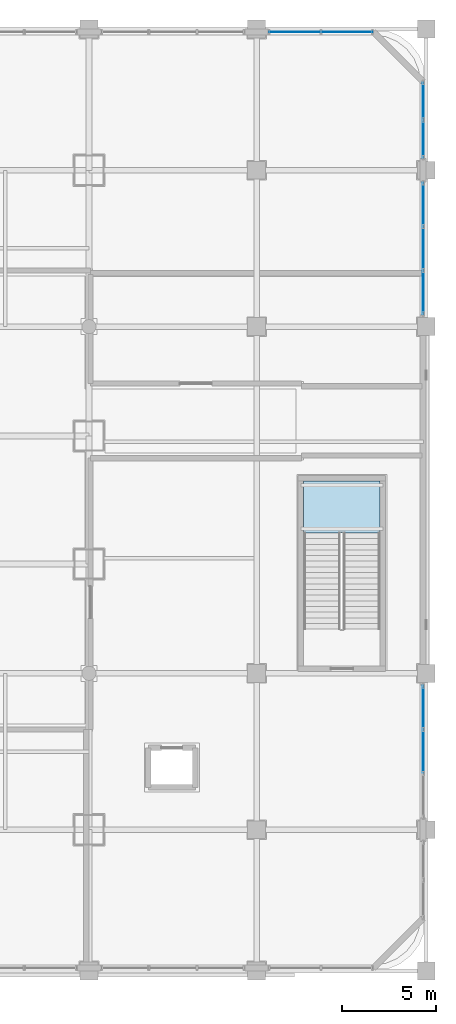
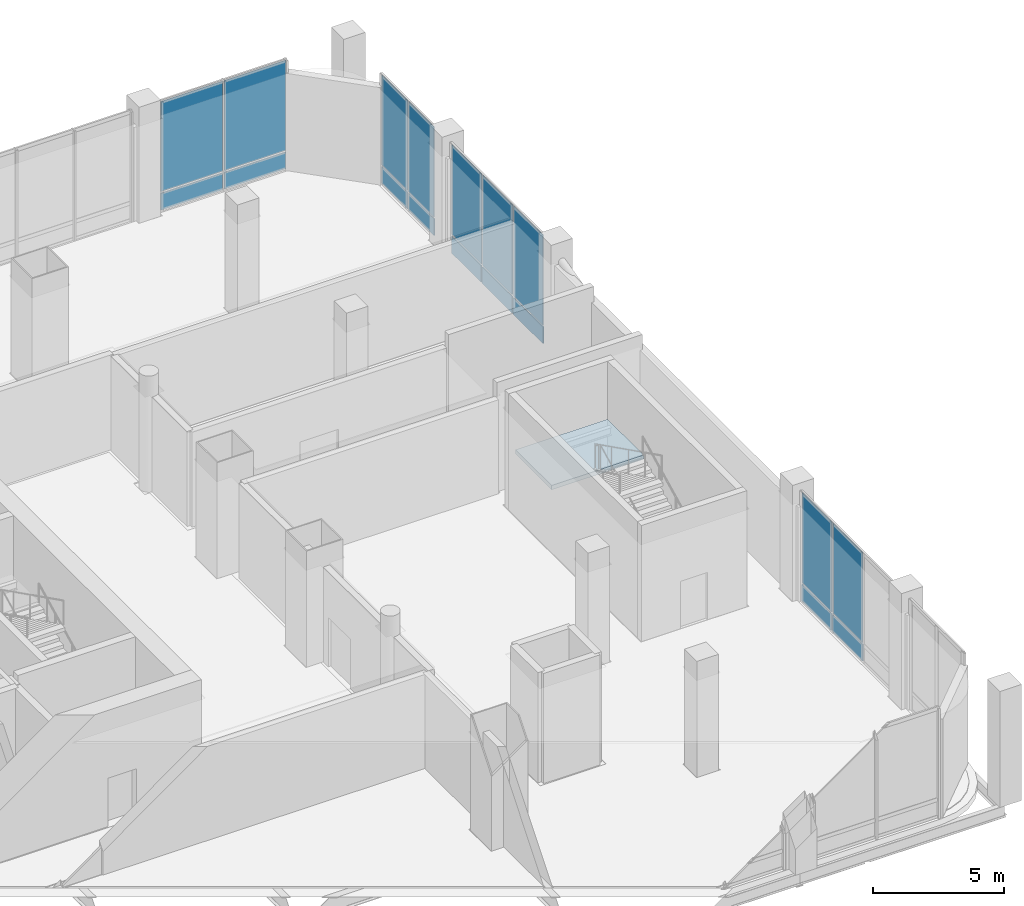
# One storey, part 24 of 39: 18 plates, 1 slab, 5 elements without a shape of their own.
"""IFC4 building model written with IfcOpenShell, lengths in metres."""

from ifc_helpers import new_model, si_unit, direction, frame, origin, origin_2d, place, context, subcontext, project, spatial, polyline, rectangle, outline, extrude, material, layer, layer_set, type_object, element, aggregate, save


model = new_model("IFC4")

# Units and contexts
model_context = context("Model", 3, precision=1e-05, world=origin(), true_north=direction((0.0, 1.0)))
body_context = subcontext(model_context, "Body", "Model", "MODEL_VIEW")
ifc_project = project(units=[si_unit("LENGTHUNIT", "METRE"), si_unit("AREAUNIT", "SQUARE_METRE"), si_unit("VOLUMEUNIT", "CUBIC_METRE"), si_unit("PLANEANGLEUNIT", "RADIAN"), si_unit("MASSUNIT", "GRAM", prefix="KILO")], contexts=[model_context])

# Site, building, storey
site_placement = place(None, origin())
site = spatial("IfcSite", under=ifc_project, at=site_placement, CompositionType="ELEMENT")
building_placement = place(site_placement, origin())
building = spatial("IfcBuilding", under=site, at=building_placement, Name="Punatoya Terracotta Tower", CompositionType="ELEMENT")
storey_placement = place(building_placement, frame((0.0, 0.0, 11.39990234375)))
storey = spatial("IfcBuildingStorey", under=building, at=storey_placement, Name="L02", CompositionType="ELEMENT", Elevation=11.39990234375)

# Curtain wall, plates
ifc_material_1 = material(Name="Aluminium 6063-T6 + Double Low-E Glass", Category="aluminium")
curtain_wall_type = type_object("IfcCurtainWallType", Name="CW-POD", PredefinedType="NOTDEFINED", material=ifc_material_1)
curtain_wall_1_placement = place(storey_placement, origin())
curtain_wall_1 = element("IfcCurtainWall", 1, at=curtain_wall_1_placement, inside=storey, type_object=curtain_wall_type, Name="L02 Curtain Wall CWP-L02-N7", PredefinedType="NOTDEFINED")
ifc_material_2 = material(Name="Double Low-E Clear Vision Glass", Category="glass")
ifc_layer_1 = layer(ifc_material_2, 0.028076171875)
ifc_layer_set_1 = layer_set([ifc_layer_1], Name="Double Low-E Clear Vision Glass")
plate_type_1 = type_object("IfcPlateType", Name="PLT-GLZ-28", PredefinedType="CURTAIN_PANEL", material=ifc_layer_set_1)
plate_1_placement = place(storey_placement, frame((32.804931640625, 24.840087890625, 0.89013671875), z_axis=(0.0, 0.0, 1.0), x_axis=(-1.0, 0.0, 0.0)))
plate_1 = element("IfcPlate", 2, at=plate_1_placement, type_object=plate_type_1, Name="CWP-L02-N7 Vision Glass Panel 1", PredefinedType="CURTAIN_PANEL", context=body_context, shape_type="SweptSolid", body=[
    extrude(rectangle(XDim=2.705078125, YDim=0.028076171875, at=origin_2d()), origin(), (0.0, 0.0, 1.0), 4.18994140625),
])
plate_2_placement = place(storey_placement, frame((30.014892578125, 24.840087890625, 0.89013671875), z_axis=(0.0, 0.0, 1.0), x_axis=(-1.0, 0.0, 0.0)))
plate_2 = element("IfcPlate", 3, at=plate_2_placement, type_object=plate_type_1, Name="CWP-L02-N7 Vision Glass Panel 2", PredefinedType="CURTAIN_PANEL", context=body_context, shape_type="SweptSolid", body=[
    extrude(rectangle(XDim=2.705078125, YDim=0.028076171875, at=origin_2d()), origin(), (0.0, 0.0, 1.0), 4.18994140625),
])

curtain_wall_2_placement = place(storey_placement, origin())
curtain_wall_2 = element("IfcCurtainWall", 4, at=curtain_wall_2_placement, inside=storey, type_object=curtain_wall_type, Name="L02 Curtain Wall CWP-L02-E2", PredefinedType="NOTDEFINED")
plate_3_placement = place(storey_placement, frame((36.840087890625, -10.99658203125, 0.89013671875), z_axis=(0.0, 0.0, 1.0), x_axis=(0.0, -1.0, 0.0)))
plate_3 = element("IfcPlate", 5, at=plate_3_placement, type_object=plate_type_1, Name="CWP-L02-E2 Vision Glass Panel 1", PredefinedType="CURTAIN_PANEL", context=body_context, shape_type="SweptSolid", body=[
    extrude(rectangle(XDim=2.268310546875, YDim=0.028076171875, at=origin_2d()), origin(), (0.0, 0.0, 1.0), 4.18994140625),
])
plate_4_placement = place(storey_placement, frame((36.840087890625, -13.35009765625, 0.89013671875), z_axis=(0.0, 0.0, 1.0), x_axis=(0.0, -1.0, 0.0)))
plate_4 = element("IfcPlate", 6, at=plate_4_placement, type_object=plate_type_1, Name="CWP-L02-E2 Vision Glass Panel 2", PredefinedType="CURTAIN_PANEL", context=body_context, shape_type="SweptSolid", body=[
    extrude(rectangle(XDim=2.268310546875, YDim=0.028076171875, at=origin_2d()), origin(), (0.0, 0.0, 1.0), 4.18994140625),
])

curtain_wall_3_placement = place(storey_placement, origin())
curtain_wall_3 = element("IfcCurtainWall", 7, at=curtain_wall_3_placement, inside=storey, type_object=curtain_wall_type, Name="L02 Curtain Wall CWP-L02-E3", PredefinedType="NOTDEFINED")
plate_5_placement = place(storey_placement, frame((36.840087890625, 15.703369140625, 0.89013671875), z_axis=(0.0, 0.0, 1.0), x_axis=(0.0, -1.0, 0.0)))
plate_5 = element("IfcPlate", 8, at=plate_5_placement, type_object=plate_type_1, Name="CWP-L02-E3 Vision Glass Panel 1", PredefinedType="CURTAIN_PANEL", context=body_context, shape_type="SweptSolid", body=[
    extrude(rectangle(XDim=2.268310546875, YDim=0.028076171875, at=origin_2d()), origin(), (0.0, 0.0, 1.0), 4.18994140625),
])
plate_6_placement = place(storey_placement, frame((36.840087890625, 13.35009765625, 0.89013671875), z_axis=(0.0, 0.0, 1.0), x_axis=(0.0, -1.0, 0.0)))
plate_6 = element("IfcPlate", 9, at=plate_6_placement, type_object=plate_type_1, Name="CWP-L02-E3 Vision Glass Panel 2", PredefinedType="CURTAIN_PANEL", context=body_context, shape_type="SweptSolid", body=[
    extrude(rectangle(XDim=2.268310546875, YDim=0.028076171875, at=origin_2d()), origin(), (0.0, 0.0, 1.0), 4.18994140625),
])
plate_7_placement = place(storey_placement, frame((36.840087890625, 10.99658203125, 0.89013671875), z_axis=(0.0, 0.0, 1.0), x_axis=(0.0, -1.0, 0.0)))
plate_7 = element("IfcPlate", 10, at=plate_7_placement, type_object=plate_type_1, Name="CWP-L02-E3 Vision Glass Panel 3", PredefinedType="CURTAIN_PANEL", context=body_context, shape_type="SweptSolid", body=[
    extrude(rectangle(XDim=2.268310546875, YDim=0.028076171875, at=origin_2d()), origin(), (0.0, 0.0, 1.0), 4.18994140625),
])

curtain_wall_4_placement = place(storey_placement, origin())
curtain_wall_4 = element("IfcCurtainWall", 11, at=curtain_wall_4_placement, inside=storey, type_object=curtain_wall_type, Name="L02 Curtain Wall CWP-L02-E4", PredefinedType="NOTDEFINED")
plate_8_placement = place(storey_placement, frame((36.840087890625, 21.179931640625, 0.89013671875), z_axis=(0.0, 0.0, 1.0), x_axis=(0.0, -1.0, 0.0)))
plate_8 = element("IfcPlate", 12, at=plate_8_placement, type_object=plate_type_1, Name="CWP-L02-E4 Vision Glass Panel 1", PredefinedType="CURTAIN_PANEL", context=body_context, shape_type="SweptSolid", body=[
    extrude(rectangle(XDim=1.955078125, YDim=0.028076171875, at=origin_2d()), origin(), (0.0, 0.0, 1.0), 4.18994140625),
])
plate_9_placement = place(storey_placement, frame((36.840087890625, 19.139892578125, 0.89013671875), z_axis=(0.0, 0.0, 1.0), x_axis=(0.0, -1.0, 0.0)))
plate_9 = element("IfcPlate", 13, at=plate_9_placement, type_object=plate_type_1, Name="CWP-L02-E4 Vision Glass Panel 2", PredefinedType="CURTAIN_PANEL", context=body_context, shape_type="SweptSolid", body=[
    extrude(rectangle(XDim=1.955078125, YDim=0.028076171875, at=origin_2d()), origin(), (0.0, 0.0, 1.0), 4.18994140625),
])

# Plate
ifc_material_3 = material(Name="Insulated Terracotta-Backed Spandrel Panel", Category="masonry")
ifc_layer_2 = layer(ifc_material_3, 0.044921875)
ifc_layer_set_2 = layer_set([ifc_layer_2], Name="Insulated Terracotta-Backed Spandrel Panel")
plate_type_2 = type_object("IfcPlateType", Name="PLT-SPN-45", PredefinedType="CURTAIN_PANEL", material=ifc_layer_set_2)
plate_10_placement = place(storey_placement, frame((32.804931640625, 24.840087890625, 0.0400390625), z_axis=(0.0, 0.0, 1.0), x_axis=(-1.0, 0.0, 0.0)))
plate_10 = element("IfcPlate", 14, at=plate_10_placement, type_object=plate_type_2, Name="CWP-L02-N7 Terracotta Spandrel Panel 1", PredefinedType="CURTAIN_PANEL", context=body_context, shape_type="SweptSolid", body=[
    extrude(rectangle(XDim=2.705078125, YDim=0.044921875, at=origin_2d()), origin(), (0.0, 0.0, 1.0), 0.77490234375),
])

plate_11_placement = place(storey_placement, frame((30.014892578125, 24.840087890625, 0.0400390625), z_axis=(0.0, 0.0, 1.0), x_axis=(-1.0, 0.0, 0.0)))
plate_11 = element("IfcPlate", 15, at=plate_11_placement, type_object=plate_type_2, Name="CWP-L02-N7 Terracotta Spandrel Panel 2", PredefinedType="CURTAIN_PANEL", context=body_context, shape_type="SweptSolid", body=[
    extrude(rectangle(XDim=2.705078125, YDim=0.044921875, at=origin_2d()), origin(), (0.0, 0.0, 1.0), 0.77490234375),
])

aggregate(curtain_wall_1, [plate_10, plate_1, plate_11, plate_2])

plate_12_placement = place(storey_placement, frame((36.840087890625, -10.99658203125, 0.0400390625), z_axis=(0.0, 0.0, 1.0), x_axis=(0.0, -1.0, 0.0)))
plate_12 = element("IfcPlate", 16, at=plate_12_placement, type_object=plate_type_2, Name="CWP-L02-E2 Terracotta Spandrel Panel 1", PredefinedType="CURTAIN_PANEL", context=body_context, shape_type="SweptSolid", body=[
    extrude(rectangle(XDim=2.268310546875, YDim=0.044921875, at=origin_2d()), origin(), (0.0, 0.0, 1.0), 0.77490234375),
])

plate_13_placement = place(storey_placement, frame((36.840087890625, -13.35009765625, 0.0400390625), z_axis=(0.0, 0.0, 1.0), x_axis=(0.0, -1.0, 0.0)))
plate_13 = element("IfcPlate", 17, at=plate_13_placement, type_object=plate_type_2, Name="CWP-L02-E2 Terracotta Spandrel Panel 2", PredefinedType="CURTAIN_PANEL", context=body_context, shape_type="SweptSolid", body=[
    extrude(rectangle(XDim=2.268310546875, YDim=0.044921875, at=origin_2d()), origin(), (0.0, 0.0, 1.0), 0.77490234375),
])

aggregate(curtain_wall_2, [plate_12, plate_3, plate_13, plate_4])

plate_14_placement = place(storey_placement, frame((36.840087890625, 15.703369140625, 0.0400390625), z_axis=(0.0, 0.0, 1.0), x_axis=(0.0, -1.0, 0.0)))
plate_14 = element("IfcPlate", 18, at=plate_14_placement, type_object=plate_type_2, Name="CWP-L02-E3 Terracotta Spandrel Panel 1", PredefinedType="CURTAIN_PANEL", context=body_context, shape_type="SweptSolid", body=[
    extrude(rectangle(XDim=2.268310546875, YDim=0.044921875, at=origin_2d()), origin(), (0.0, 0.0, 1.0), 0.77490234375),
])

plate_15_placement = place(storey_placement, frame((36.840087890625, 13.35009765625, 0.0400390625), z_axis=(0.0, 0.0, 1.0), x_axis=(0.0, -1.0, 0.0)))
plate_15 = element("IfcPlate", 19, at=plate_15_placement, type_object=plate_type_2, Name="CWP-L02-E3 Terracotta Spandrel Panel 2", PredefinedType="CURTAIN_PANEL", context=body_context, shape_type="SweptSolid", body=[
    extrude(rectangle(XDim=2.268310546875, YDim=0.044921875, at=origin_2d()), origin(), (0.0, 0.0, 1.0), 0.77490234375),
])

plate_16_placement = place(storey_placement, frame((36.840087890625, 10.99658203125, 0.0400390625), z_axis=(0.0, 0.0, 1.0), x_axis=(0.0, -1.0, 0.0)))
plate_16 = element("IfcPlate", 20, at=plate_16_placement, type_object=plate_type_2, Name="CWP-L02-E3 Terracotta Spandrel Panel 3", PredefinedType="CURTAIN_PANEL", context=body_context, shape_type="SweptSolid", body=[
    extrude(rectangle(XDim=2.268310546875, YDim=0.044921875, at=origin_2d()), origin(), (0.0, 0.0, 1.0), 0.77490234375),
])

aggregate(curtain_wall_3, [plate_14, plate_5, plate_15, plate_6, plate_16, plate_7])

plate_17_placement = place(storey_placement, frame((36.840087890625, 21.179931640625, 0.0400390625), z_axis=(0.0, 0.0, 1.0), x_axis=(0.0, -1.0, 0.0)))
plate_17 = element("IfcPlate", 21, at=plate_17_placement, type_object=plate_type_2, Name="CWP-L02-E4 Terracotta Spandrel Panel 1", PredefinedType="CURTAIN_PANEL", context=body_context, shape_type="SweptSolid", body=[
    extrude(rectangle(XDim=1.955078125, YDim=0.044921875, at=origin_2d()), origin(), (0.0, 0.0, 1.0), 0.77490234375),
])

plate_18_placement = place(storey_placement, frame((36.840087890625, 19.139892578125, 0.0400390625), z_axis=(0.0, 0.0, 1.0), x_axis=(0.0, -1.0, 0.0)))
plate_18 = element("IfcPlate", 22, at=plate_18_placement, type_object=plate_type_2, Name="CWP-L02-E4 Terracotta Spandrel Panel 2", PredefinedType="CURTAIN_PANEL", context=body_context, shape_type="SweptSolid", body=[
    extrude(rectangle(XDim=1.955078125, YDim=0.044921875, at=origin_2d()), origin(), (0.0, 0.0, 1.0), 0.77490234375),
])

aggregate(curtain_wall_4, [plate_17, plate_8, plate_18, plate_9])

# Stair, slab
ifc_material_4 = material(Name="Concrete C40/50", Category="concrete")
stair_type = type_object("IfcStairType", Name="STR-POD-1800", PredefinedType="HALF_TURN_STAIR", material=ifc_material_4)
stair_placement = place(storey_placement, origin())
stair = element("IfcStair", 23, at=stair_placement, inside=storey, type_object=stair_type, Name="L02 Podium East Exit Stair ST-P2", PredefinedType="HALF_TURN_STAIR")
ifc_layer_3 = layer(ifc_material_4, 0.179931640625)
ifc_layer_set_3 = layer_set([ifc_layer_3], Name="Concrete C40/50")
slab_type = type_object("IfcSlabType", Name="SLB-LND-180", PredefinedType="LANDING", material=ifc_layer_set_3)
slab_placement = place(storey_placement, frame((0.0, 0.0, 2.5)))
slab = element("IfcSlab", 24, at=slab_placement, type_object=slab_type, Name="ST-P2 landing 1", PredefinedType="LANDING", context=body_context, shape_type="SweptSolid", body=[
    extrude(outline(polyline([(34.550048828125, -1.75), (34.550048828125, 1.0), (30.5, 1.0), (30.5, -1.75), (34.550048828125, -1.75)])), origin(), (0.0, 0.0, 1.0), 0.2001953125),
])
aggregate(stair, [slab])

save(model, "model.ifc")
